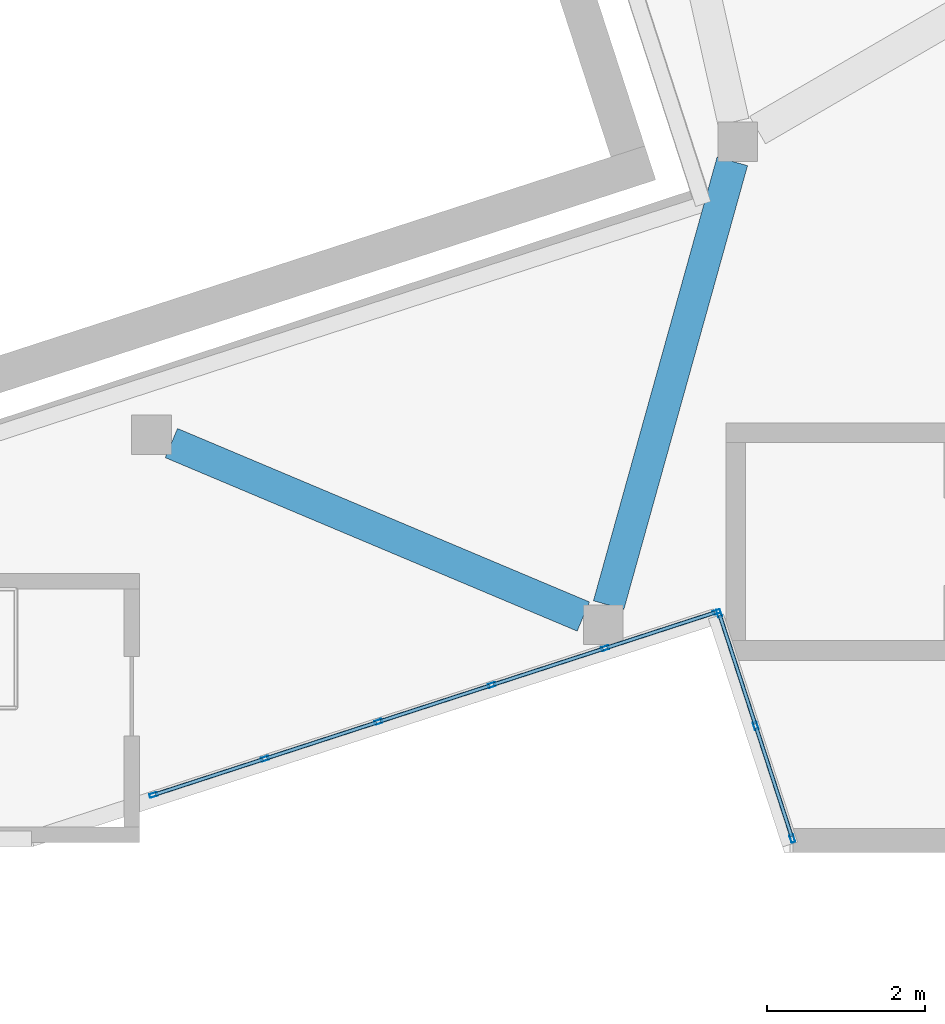
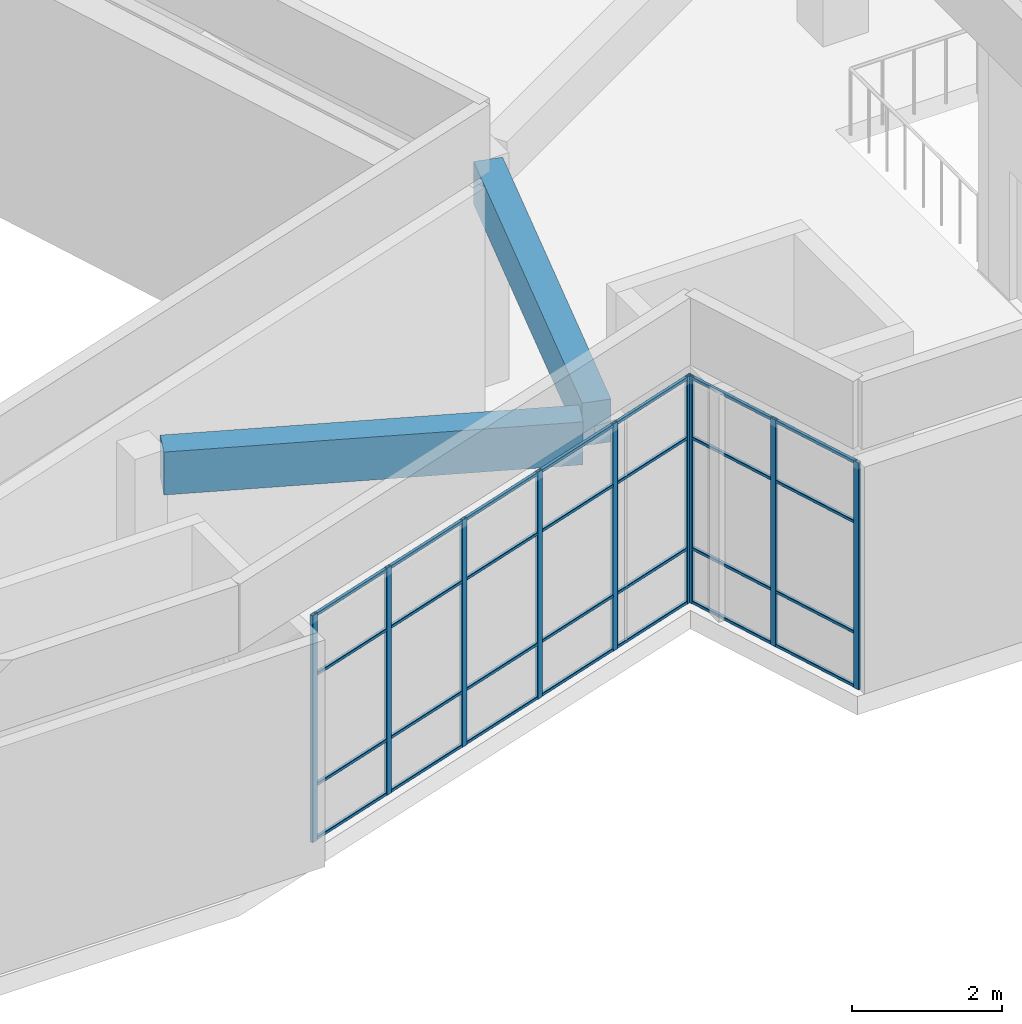
# One storey, part 6 of 72: 37 members, 2 beams, 2 elements without a shape of their own.
"""IFC4 building model written with IfcOpenShell, lengths in metres."""

from ifc_helpers import new_model, si_unit, direction, frame, origin, origin_2d, place, context, subcontext, project, spatial, rectangle, hollow_rectangle, extrude, material, layer, layer_set, material_profile, profile_set, type_object, element, aggregate, save


model = new_model("IFC4")

# Units and contexts
model_context = context("Model", 3, precision=1e-05, world=origin(), true_north=direction((0.0, 1.0)))
body_context = subcontext(model_context, "Body", "Model", "MODEL_VIEW")
ifc_project = project(units=[si_unit("LENGTHUNIT", "METRE"), si_unit("AREAUNIT", "SQUARE_METRE"), si_unit("VOLUMEUNIT", "CUBIC_METRE"), si_unit("PLANEANGLEUNIT", "RADIAN"), si_unit("MASSUNIT", "GRAM", prefix="KILO")], contexts=[model_context])

# Site, building, storey
site_placement = place(None, origin())
site = spatial("IfcSite", under=ifc_project, at=site_placement, CompositionType="ELEMENT")
building_placement = place(site_placement, origin())
building = spatial("IfcBuilding", under=site, at=building_placement, Name="Tuart Plaza Theatre", CompositionType="ELEMENT")
storey_placement = place(building_placement, frame((0.0, 0.0, 13.5)))
storey = spatial("IfcBuildingStorey", under=building, at=storey_placement, Name="L03", CompositionType="ELEMENT", Elevation=13.5)

# Beams
ifc_material_1 = material(Name="Concrete N40 (40 MPa)", Category="concrete")
ifc_material_profile_1 = material_profile(ifc_material_1, rectangle(XDim=0.39990234375, YDim=0.699951171875, at=origin_2d()), Name="BEAM 400x700 Concrete N40 (40 MPa)")
ifc_profile_set_1 = profile_set([ifc_material_profile_1], Name="Concrete N40 (40 MPa)")
beam_type = type_object("IfcBeamType", Name="BEAM 400x700 Concrete N40 (40 MPa)", PredefinedType="BEAM", material=ifc_profile_set_1)
beam_1_placement = place(storey_placement, frame((76.949951171875, 45.30517578125, 3.35009765625), z_axis=(-0.921635375138, 0.388057000058, 0.0), x_axis=(-0.388057000058, -0.921635375138, 0.0)))
element("IfcBeam", 1, at=beam_1_placement, inside=storey, type_object=beam_type, Name="RB492", PredefinedType="BEAM", context=body_context, shape_type="SweptSolid", body=[
    extrude(rectangle(XDim=0.39990234375, YDim=0.699951171875, at=origin_2d()), origin(), (0.0, 0.0, 1.0), 5.64208984375),
])
beam_2_placement = place(storey_placement, frame((77.269775390625, 45.449951171875, 3.35009765625), z_axis=(0.268436517251, 0.963297376829, 0.0), x_axis=(-0.963297376829, 0.268436517251, 0.0)))
element("IfcBeam", 2, at=beam_2_placement, inside=storey, type_object=beam_type, Name="RB493", PredefinedType="BEAM", context=body_context, shape_type="SweptSolid", body=[
    extrude(rectangle(XDim=0.39990234375, YDim=0.699951171875, at=origin_2d()), origin(), (0.0, 0.0, 1.0), 5.8134765625),
])

# Curtain wall, members
ifc_material_2 = material(Name="Aluminium and glass", Category="aluminium")
ifc_layer = layer(ifc_material_2, 0.10009765625)
ifc_layer_set = layer_set([ifc_layer], Name="CURTAIN WALL 1500 module")
curtain_wall_type = type_object("IfcCurtainWallType", Name="CURTAIN WALL 1500 module", PredefinedType="NOTDEFINED", material=ifc_layer_set)
curtain_wall_1_placement = place(storey_placement, origin())
curtain_wall_1 = element("IfcCurtainWall", 3, at=curtain_wall_1_placement, inside=storey, type_object=curtain_wall_type, Name="CW37", PredefinedType="NOTDEFINED")
ifc_material_3 = material(Name="Aluminium 6063-T5", Category="aluminium")
ifc_material_profile_2 = material_profile(ifc_material_3, hollow_rectangle(XDim=0.050048828125, YDim=0.10009765625, WallThickness=0.00390625, InnerFilletRadius=0.00390625, OuterFilletRadius=0.008056640625, at=origin_2d()), Name="RHS 100x50x4")
ifc_profile_set_2 = profile_set([ifc_material_profile_2], Name="Aluminium 6063-T5")
member_type_1 = type_object("IfcMemberType", Name="MULLION RHS 100x50x4", PredefinedType="MULLION", material=ifc_profile_set_2)
member_1_placement = place(storey_placement, frame((71.523681640625, 43.052734375, 0.0), z_axis=(0.0, 0.0, 1.0), x_axis=(-0.308985579126, 0.951066723155, 0.0)))
member_1 = element("IfcMember", 4, at=member_1_placement, type_object=member_type_1, Name="CW37 mullion 1", PredefinedType="MULLION", context=body_context, shape_type="SweptSolid", body=[
    extrude(hollow_rectangle(XDim=0.050048828125, YDim=0.10009765625, WallThickness=0.00390625, InnerFilletRadius=0.00390625, OuterFilletRadius=0.008056640625, at=origin_2d()), origin(), (0.0, 0.0, 1.0), 3.699951171875),
])
member_2_placement = place(storey_placement, frame((72.93115234375, 43.510009765625, 0.0), z_axis=(0.0, 0.0, 1.0), x_axis=(-0.308985579126, 0.951066723155, 0.0)))
member_2 = element("IfcMember", 5, at=member_2_placement, type_object=member_type_1, Name="CW37 mullion 2", PredefinedType="MULLION", context=body_context, shape_type="SweptSolid", body=[
    extrude(hollow_rectangle(XDim=0.050048828125, YDim=0.10009765625, WallThickness=0.00390625, InnerFilletRadius=0.00390625, OuterFilletRadius=0.008056640625, at=origin_2d()), origin(), (0.0, 0.0, 1.0), 3.699951171875),
])
member_3_placement = place(storey_placement, frame((74.362548828125, 43.97509765625, 0.0), z_axis=(0.0, 0.0, 1.0), x_axis=(-0.308985579126, 0.951066723155, 0.0)))
member_3 = element("IfcMember", 6, at=member_3_placement, type_object=member_type_1, Name="CW37 mullion 3", PredefinedType="MULLION", context=body_context, shape_type="SweptSolid", body=[
    extrude(hollow_rectangle(XDim=0.050048828125, YDim=0.10009765625, WallThickness=0.00390625, InnerFilletRadius=0.00390625, OuterFilletRadius=0.008056640625, at=origin_2d()), origin(), (0.0, 0.0, 1.0), 3.699951171875),
])
member_4_placement = place(storey_placement, frame((75.793701171875, 44.43994140625, 0.0), z_axis=(0.0, 0.0, 1.0), x_axis=(-0.308985579126, 0.951066723155, 0.0)))
member_4 = element("IfcMember", 7, at=member_4_placement, type_object=member_type_1, Name="CW37 mullion 4", PredefinedType="MULLION", context=body_context, shape_type="SweptSolid", body=[
    extrude(hollow_rectangle(XDim=0.050048828125, YDim=0.10009765625, WallThickness=0.00390625, InnerFilletRadius=0.00390625, OuterFilletRadius=0.008056640625, at=origin_2d()), origin(), (0.0, 0.0, 1.0), 3.699951171875),
])
member_5_placement = place(storey_placement, frame((77.22509765625, 44.905029296875, 0.0), z_axis=(0.0, 0.0, 1.0), x_axis=(-0.308985579126, 0.951066723155, 0.0)))
member_5 = element("IfcMember", 8, at=member_5_placement, type_object=member_type_1, Name="CW37 mullion 5", PredefinedType="MULLION", context=body_context, shape_type="SweptSolid", body=[
    extrude(hollow_rectangle(XDim=0.050048828125, YDim=0.10009765625, WallThickness=0.00390625, InnerFilletRadius=0.00390625, OuterFilletRadius=0.008056640625, at=origin_2d()), origin(), (0.0, 0.0, 1.0), 3.699951171875),
])
member_6_placement = place(storey_placement, frame((78.632568359375, 45.3623046875, 0.0), z_axis=(0.0, 0.0, 1.0), x_axis=(-0.308985579126, 0.951066723155, 0.0)))
member_6 = element("IfcMember", 9, at=member_6_placement, type_object=member_type_1, Name="CW37 mullion 6", PredefinedType="MULLION", context=body_context, shape_type="SweptSolid", body=[
    extrude(hollow_rectangle(XDim=0.050048828125, YDim=0.10009765625, WallThickness=0.00390625, InnerFilletRadius=0.00390625, OuterFilletRadius=0.008056640625, at=origin_2d()), origin(), (0.0, 0.0, 1.0), 3.699951171875),
])

curtain_wall_2_placement = place(storey_placement, origin())
curtain_wall_2 = element("IfcCurtainWall", 10, at=curtain_wall_2_placement, inside=storey, type_object=curtain_wall_type, Name="CW38", PredefinedType="NOTDEFINED")
member_7_placement = place(storey_placement, frame((78.6640625, 45.34619140625, 0.0), z_axis=(0.0, 0.0, 1.0), x_axis=(0.951056113998, 0.309018232516, 0.0)))
member_7 = element("IfcMember", 11, at=member_7_placement, type_object=member_type_1, Name="CW38 mullion 1", PredefinedType="MULLION", context=body_context, shape_type="SweptSolid", body=[
    extrude(hollow_rectangle(XDim=0.050048828125, YDim=0.10009765625, WallThickness=0.00390625, InnerFilletRadius=0.00390625, OuterFilletRadius=0.008056640625, at=origin_2d()), origin(), (0.0, 0.0, 1.0), 3.699951171875),
])
member_8_placement = place(storey_placement, frame((79.126220703125, 43.924072265625, 0.0), z_axis=(0.0, 0.0, 1.0), x_axis=(0.951056113998, 0.309018232516, 0.0)))
member_8 = element("IfcMember", 12, at=member_8_placement, type_object=member_type_1, Name="CW38 mullion 2", PredefinedType="MULLION", context=body_context, shape_type="SweptSolid", body=[
    extrude(hollow_rectangle(XDim=0.050048828125, YDim=0.10009765625, WallThickness=0.00390625, InnerFilletRadius=0.00390625, OuterFilletRadius=0.008056640625, at=origin_2d()), origin(), (0.0, 0.0, 1.0), 3.699951171875),
])
member_9_placement = place(storey_placement, frame((79.588134765625, 42.501708984375, 0.0), z_axis=(0.0, 0.0, 1.0), x_axis=(0.951056113998, 0.309018232516, 0.0)))
member_9 = element("IfcMember", 13, at=member_9_placement, type_object=member_type_1, Name="CW38 mullion 3", PredefinedType="MULLION", context=body_context, shape_type="SweptSolid", body=[
    extrude(hollow_rectangle(XDim=0.050048828125, YDim=0.10009765625, WallThickness=0.00390625, InnerFilletRadius=0.00390625, OuterFilletRadius=0.008056640625, at=origin_2d()), origin(), (0.0, 0.0, 1.0), 3.699951171875),
])

# Member
ifc_material_4 = material(Name="Aluminium 6063-T5", Category="aluminium")
ifc_material_profile_3 = material_profile(ifc_material_4, hollow_rectangle(XDim=0.050048828125, YDim=0.050048828125, WallThickness=0.00390625, InnerFilletRadius=0.00390625, OuterFilletRadius=0.008056640625, at=origin_2d()), Name="RHS 50x50x4")
ifc_profile_set_3 = profile_set([ifc_material_profile_3], Name="Aluminium 6063-T5")
member_type_2 = type_object("IfcMemberType", Name="TRANSOM RHS 50x50x4", PredefinedType="USERDEFINED", material=ifc_profile_set_3)
member_10_placement = place(storey_placement, frame((71.547607421875, 43.060546875, 0.02490234375), z_axis=(0.951096790658, 0.308893015135, 0.0), x_axis=(-0.308893015135, 0.951096790658, 0.0)))
member_10 = element("IfcMember", 14, at=member_10_placement, type_object=member_type_2, Name="CW37 transom 1.1", ObjectType="TRANSOM", PredefinedType="USERDEFINED", context=body_context, shape_type="SweptSolid", body=[
    extrude(hollow_rectangle(XDim=0.050048828125, YDim=0.050048828125, WallThickness=0.00390625, InnerFilletRadius=0.00390625, OuterFilletRadius=0.008056640625, at=origin_2d()), origin(), (0.0, 0.0, 1.0), 1.4296875),
])

member_11_placement = place(storey_placement, frame((71.547607421875, 43.060546875, 0.89990234375), z_axis=(0.951096790658, 0.308893015135, 0.0), x_axis=(-0.308893015135, 0.951096790658, 0.0)))
member_11 = element("IfcMember", 15, at=member_11_placement, type_object=member_type_2, Name="CW37 transom 1.2", ObjectType="TRANSOM", PredefinedType="USERDEFINED", context=body_context, shape_type="SweptSolid", body=[
    extrude(hollow_rectangle(XDim=0.050048828125, YDim=0.050048828125, WallThickness=0.00390625, InnerFilletRadius=0.00390625, OuterFilletRadius=0.008056640625, at=origin_2d()), origin(), (0.0, 0.0, 1.0), 1.4296875),
])

member_12_placement = place(storey_placement, frame((71.547607421875, 43.060546875, 2.699951171875), z_axis=(0.951096790658, 0.308893015135, 0.0), x_axis=(-0.308893015135, 0.951096790658, 0.0)))
member_12 = element("IfcMember", 16, at=member_12_placement, type_object=member_type_2, Name="CW37 transom 1.3", ObjectType="TRANSOM", PredefinedType="USERDEFINED", context=body_context, shape_type="SweptSolid", body=[
    extrude(hollow_rectangle(XDim=0.050048828125, YDim=0.050048828125, WallThickness=0.00390625, InnerFilletRadius=0.00390625, OuterFilletRadius=0.008056640625, at=origin_2d()), origin(), (0.0, 0.0, 1.0), 1.4296875),
])

member_13_placement = place(storey_placement, frame((71.547607421875, 43.060546875, 3.675048828125), z_axis=(0.951096790658, 0.308893015135, 0.0), x_axis=(-0.308893015135, 0.951096790658, 0.0)))
member_13 = element("IfcMember", 17, at=member_13_placement, type_object=member_type_2, Name="CW37 transom 1.4", ObjectType="TRANSOM", PredefinedType="USERDEFINED", context=body_context, shape_type="SweptSolid", body=[
    extrude(hollow_rectangle(XDim=0.050048828125, YDim=0.050048828125, WallThickness=0.00390625, InnerFilletRadius=0.00390625, OuterFilletRadius=0.008056640625, at=origin_2d()), origin(), (0.0, 0.0, 1.0), 1.4296875),
])

member_14_placement = place(storey_placement, frame((72.955078125, 43.517822265625, 0.02490234375), z_axis=(0.951088311505, 0.308919121645, 0.0), x_axis=(-0.308919121645, 0.951088311505, 0.0)))
member_14 = element("IfcMember", 18, at=member_14_placement, type_object=member_type_2, Name="CW37 transom 2.1", ObjectType="TRANSOM", PredefinedType="USERDEFINED", context=body_context, shape_type="SweptSolid", body=[
    extrude(hollow_rectangle(XDim=0.050048828125, YDim=0.050048828125, WallThickness=0.00390625, InnerFilletRadius=0.00390625, OuterFilletRadius=0.008056640625, at=origin_2d()), origin(), (0.0, 0.0, 1.0), 1.454833984375),
])

member_15_placement = place(storey_placement, frame((72.955078125, 43.517822265625, 0.89990234375), z_axis=(0.951088311505, 0.308919121645, 0.0), x_axis=(-0.308919121645, 0.951088311505, 0.0)))
member_15 = element("IfcMember", 19, at=member_15_placement, type_object=member_type_2, Name="CW37 transom 2.2", ObjectType="TRANSOM", PredefinedType="USERDEFINED", context=body_context, shape_type="SweptSolid", body=[
    extrude(hollow_rectangle(XDim=0.050048828125, YDim=0.050048828125, WallThickness=0.00390625, InnerFilletRadius=0.00390625, OuterFilletRadius=0.008056640625, at=origin_2d()), origin(), (0.0, 0.0, 1.0), 1.454833984375),
])

member_16_placement = place(storey_placement, frame((72.955078125, 43.517822265625, 2.699951171875), z_axis=(0.951088311505, 0.308919121645, 0.0), x_axis=(-0.308919121645, 0.951088311505, 0.0)))
member_16 = element("IfcMember", 20, at=member_16_placement, type_object=member_type_2, Name="CW37 transom 2.3", ObjectType="TRANSOM", PredefinedType="USERDEFINED", context=body_context, shape_type="SweptSolid", body=[
    extrude(hollow_rectangle(XDim=0.050048828125, YDim=0.050048828125, WallThickness=0.00390625, InnerFilletRadius=0.00390625, OuterFilletRadius=0.008056640625, at=origin_2d()), origin(), (0.0, 0.0, 1.0), 1.454833984375),
])

member_17_placement = place(storey_placement, frame((72.955078125, 43.517822265625, 3.675048828125), z_axis=(0.951088311505, 0.308919121645, 0.0), x_axis=(-0.308919121645, 0.951088311505, 0.0)))
member_17 = element("IfcMember", 21, at=member_17_placement, type_object=member_type_2, Name="CW37 transom 2.4", ObjectType="TRANSOM", PredefinedType="USERDEFINED", context=body_context, shape_type="SweptSolid", body=[
    extrude(hollow_rectangle(XDim=0.050048828125, YDim=0.050048828125, WallThickness=0.00390625, InnerFilletRadius=0.00390625, OuterFilletRadius=0.008056640625, at=origin_2d()), origin(), (0.0, 0.0, 1.0), 1.454833984375),
])

member_18_placement = place(storey_placement, frame((74.38623046875, 43.982666015625, 0.02490234375), z_axis=(0.951039000848, 0.309070896182, 0.0), x_axis=(-0.309070896182, 0.951039000848, 0.0)))
member_18 = element("IfcMember", 22, at=member_18_placement, type_object=member_type_2, Name="CW37 transom 3.1", ObjectType="TRANSOM", PredefinedType="USERDEFINED", context=body_context, shape_type="SweptSolid", body=[
    extrude(hollow_rectangle(XDim=0.050048828125, YDim=0.050048828125, WallThickness=0.00390625, InnerFilletRadius=0.00390625, OuterFilletRadius=0.008056640625, at=origin_2d()), origin(), (0.0, 0.0, 1.0), 1.455078125),
])

member_19_placement = place(storey_placement, frame((74.38623046875, 43.982666015625, 0.89990234375), z_axis=(0.951039000848, 0.309070896182, 0.0), x_axis=(-0.309070896182, 0.951039000848, 0.0)))
member_19 = element("IfcMember", 23, at=member_19_placement, type_object=member_type_2, Name="CW37 transom 3.2", ObjectType="TRANSOM", PredefinedType="USERDEFINED", context=body_context, shape_type="SweptSolid", body=[
    extrude(hollow_rectangle(XDim=0.050048828125, YDim=0.050048828125, WallThickness=0.00390625, InnerFilletRadius=0.00390625, OuterFilletRadius=0.008056640625, at=origin_2d()), origin(), (0.0, 0.0, 1.0), 1.455078125),
])

member_20_placement = place(storey_placement, frame((74.38623046875, 43.982666015625, 2.699951171875), z_axis=(0.951039000848, 0.309070896182, 0.0), x_axis=(-0.309070896182, 0.951039000848, 0.0)))
member_20 = element("IfcMember", 24, at=member_20_placement, type_object=member_type_2, Name="CW37 transom 3.3", ObjectType="TRANSOM", PredefinedType="USERDEFINED", context=body_context, shape_type="SweptSolid", body=[
    extrude(hollow_rectangle(XDim=0.050048828125, YDim=0.050048828125, WallThickness=0.00390625, InnerFilletRadius=0.00390625, OuterFilletRadius=0.008056640625, at=origin_2d()), origin(), (0.0, 0.0, 1.0), 1.455078125),
])

member_21_placement = place(storey_placement, frame((74.38623046875, 43.982666015625, 3.675048828125), z_axis=(0.951039000848, 0.309070896182, 0.0), x_axis=(-0.309070896182, 0.951039000848, 0.0)))
member_21 = element("IfcMember", 25, at=member_21_placement, type_object=member_type_2, Name="CW37 transom 3.4", ObjectType="TRANSOM", PredefinedType="USERDEFINED", context=body_context, shape_type="SweptSolid", body=[
    extrude(hollow_rectangle(XDim=0.050048828125, YDim=0.050048828125, WallThickness=0.00390625, InnerFilletRadius=0.00390625, OuterFilletRadius=0.008056640625, at=origin_2d()), origin(), (0.0, 0.0, 1.0), 1.455078125),
])

member_22_placement = place(storey_placement, frame((75.817626953125, 44.44775390625, 0.02490234375), z_axis=(0.951072294381, 0.308968430202, 0.0), x_axis=(-0.308968430202, 0.951072294381, 0.0)))
member_22 = element("IfcMember", 26, at=member_22_placement, type_object=member_type_2, Name="CW37 transom 4.1", ObjectType="TRANSOM", PredefinedType="USERDEFINED", context=body_context, shape_type="SweptSolid", body=[
    extrude(hollow_rectangle(XDim=0.050048828125, YDim=0.050048828125, WallThickness=0.00390625, InnerFilletRadius=0.00390625, OuterFilletRadius=0.008056640625, at=origin_2d()), origin(), (0.0, 0.0, 1.0), 1.454833984375),
])

member_23_placement = place(storey_placement, frame((75.817626953125, 44.44775390625, 0.89990234375), z_axis=(0.951072294381, 0.308968430202, 0.0), x_axis=(-0.308968430202, 0.951072294381, 0.0)))
member_23 = element("IfcMember", 27, at=member_23_placement, type_object=member_type_2, Name="CW37 transom 4.2", ObjectType="TRANSOM", PredefinedType="USERDEFINED", context=body_context, shape_type="SweptSolid", body=[
    extrude(hollow_rectangle(XDim=0.050048828125, YDim=0.050048828125, WallThickness=0.00390625, InnerFilletRadius=0.00390625, OuterFilletRadius=0.008056640625, at=origin_2d()), origin(), (0.0, 0.0, 1.0), 1.454833984375),
])

member_24_placement = place(storey_placement, frame((75.817626953125, 44.44775390625, 2.699951171875), z_axis=(0.951072294381, 0.308968430202, 0.0), x_axis=(-0.308968430202, 0.951072294381, 0.0)))
member_24 = element("IfcMember", 28, at=member_24_placement, type_object=member_type_2, Name="CW37 transom 4.3", ObjectType="TRANSOM", PredefinedType="USERDEFINED", context=body_context, shape_type="SweptSolid", body=[
    extrude(hollow_rectangle(XDim=0.050048828125, YDim=0.050048828125, WallThickness=0.00390625, InnerFilletRadius=0.00390625, OuterFilletRadius=0.008056640625, at=origin_2d()), origin(), (0.0, 0.0, 1.0), 1.454833984375),
])

member_25_placement = place(storey_placement, frame((75.817626953125, 44.44775390625, 3.675048828125), z_axis=(0.951072294381, 0.308968430202, 0.0), x_axis=(-0.308968430202, 0.951072294381, 0.0)))
member_25 = element("IfcMember", 29, at=member_25_placement, type_object=member_type_2, Name="CW37 transom 4.4", ObjectType="TRANSOM", PredefinedType="USERDEFINED", context=body_context, shape_type="SweptSolid", body=[
    extrude(hollow_rectangle(XDim=0.050048828125, YDim=0.050048828125, WallThickness=0.00390625, InnerFilletRadius=0.00390625, OuterFilletRadius=0.008056640625, at=origin_2d()), origin(), (0.0, 0.0, 1.0), 1.454833984375),
])

member_26_placement = place(storey_placement, frame((77.248779296875, 44.912841796875, 0.02490234375), z_axis=(0.951096790658, 0.308893015135, 0.0), x_axis=(-0.308893015135, 0.951096790658, 0.0)))
member_26 = element("IfcMember", 30, at=member_26_placement, type_object=member_type_2, Name="CW37 transom 5.1", ObjectType="TRANSOM", PredefinedType="USERDEFINED", context=body_context, shape_type="SweptSolid", body=[
    extrude(hollow_rectangle(XDim=0.050048828125, YDim=0.050048828125, WallThickness=0.00390625, InnerFilletRadius=0.00390625, OuterFilletRadius=0.008056640625, at=origin_2d()), origin(), (0.0, 0.0, 1.0), 1.4296875),
])

member_27_placement = place(storey_placement, frame((77.248779296875, 44.912841796875, 0.89990234375), z_axis=(0.951096790658, 0.308893015135, 0.0), x_axis=(-0.308893015135, 0.951096790658, 0.0)))
member_27 = element("IfcMember", 31, at=member_27_placement, type_object=member_type_2, Name="CW37 transom 5.2", ObjectType="TRANSOM", PredefinedType="USERDEFINED", context=body_context, shape_type="SweptSolid", body=[
    extrude(hollow_rectangle(XDim=0.050048828125, YDim=0.050048828125, WallThickness=0.00390625, InnerFilletRadius=0.00390625, OuterFilletRadius=0.008056640625, at=origin_2d()), origin(), (0.0, 0.0, 1.0), 1.4296875),
])

member_28_placement = place(storey_placement, frame((77.248779296875, 44.912841796875, 2.699951171875), z_axis=(0.951096790658, 0.308893015135, 0.0), x_axis=(-0.308893015135, 0.951096790658, 0.0)))
member_28 = element("IfcMember", 32, at=member_28_placement, type_object=member_type_2, Name="CW37 transom 5.3", ObjectType="TRANSOM", PredefinedType="USERDEFINED", context=body_context, shape_type="SweptSolid", body=[
    extrude(hollow_rectangle(XDim=0.050048828125, YDim=0.050048828125, WallThickness=0.00390625, InnerFilletRadius=0.00390625, OuterFilletRadius=0.008056640625, at=origin_2d()), origin(), (0.0, 0.0, 1.0), 1.4296875),
])

member_29_placement = place(storey_placement, frame((77.248779296875, 44.912841796875, 3.675048828125), z_axis=(0.951096790658, 0.308893015135, 0.0), x_axis=(-0.308893015135, 0.951096790658, 0.0)))
member_29 = element("IfcMember", 33, at=member_29_placement, type_object=member_type_2, Name="CW37 transom 5.4", ObjectType="TRANSOM", PredefinedType="USERDEFINED", context=body_context, shape_type="SweptSolid", body=[
    extrude(hollow_rectangle(XDim=0.050048828125, YDim=0.050048828125, WallThickness=0.00390625, InnerFilletRadius=0.00390625, OuterFilletRadius=0.008056640625, at=origin_2d()), origin(), (0.0, 0.0, 1.0), 1.4296875),
])

aggregate(curtain_wall_1, [member_1, member_2, member_3, member_4, member_5, member_6, member_10, member_11, member_12, member_13, member_14, member_15, member_16, member_17, member_18, member_19, member_20, member_21, member_22, member_23, member_24, member_25, member_26, member_27, member_28, member_29])

member_30_placement = place(storey_placement, frame((78.671875, 45.322509765625, 0.02490234375), z_axis=(0.308921844145, -0.951087427217, 0.0), x_axis=(0.951087427217, 0.308921844145, 0.0)))
member_30 = element("IfcMember", 34, at=member_30_placement, type_object=member_type_2, Name="CW38 transom 1.1", ObjectType="TRANSOM", PredefinedType="USERDEFINED", context=body_context, shape_type="SweptSolid", body=[
    extrude(hollow_rectangle(XDim=0.050048828125, YDim=0.050048828125, WallThickness=0.00390625, InnerFilletRadius=0.00390625, OuterFilletRadius=0.008056640625, at=origin_2d()), origin(), (0.0, 0.0, 1.0), 1.445556640625),
])

member_31_placement = place(storey_placement, frame((78.671875, 45.322509765625, 0.89990234375), z_axis=(0.308921844145, -0.951087427217, 0.0), x_axis=(0.951087427217, 0.308921844145, 0.0)))
member_31 = element("IfcMember", 35, at=member_31_placement, type_object=member_type_2, Name="CW38 transom 1.2", ObjectType="TRANSOM", PredefinedType="USERDEFINED", context=body_context, shape_type="SweptSolid", body=[
    extrude(hollow_rectangle(XDim=0.050048828125, YDim=0.050048828125, WallThickness=0.00390625, InnerFilletRadius=0.00390625, OuterFilletRadius=0.008056640625, at=origin_2d()), origin(), (0.0, 0.0, 1.0), 1.445556640625),
])

member_32_placement = place(storey_placement, frame((78.671875, 45.322509765625, 2.699951171875), z_axis=(0.308921844145, -0.951087427217, 0.0), x_axis=(0.951087427217, 0.308921844145, 0.0)))
member_32 = element("IfcMember", 36, at=member_32_placement, type_object=member_type_2, Name="CW38 transom 1.3", ObjectType="TRANSOM", PredefinedType="USERDEFINED", context=body_context, shape_type="SweptSolid", body=[
    extrude(hollow_rectangle(XDim=0.050048828125, YDim=0.050048828125, WallThickness=0.00390625, InnerFilletRadius=0.00390625, OuterFilletRadius=0.008056640625, at=origin_2d()), origin(), (0.0, 0.0, 1.0), 1.445556640625),
])

member_33_placement = place(storey_placement, frame((78.671875, 45.322509765625, 3.675048828125), z_axis=(0.308921844145, -0.951087427217, 0.0), x_axis=(0.951087427217, 0.308921844145, 0.0)))
member_33 = element("IfcMember", 37, at=member_33_placement, type_object=member_type_2, Name="CW38 transom 1.4", ObjectType="TRANSOM", PredefinedType="USERDEFINED", context=body_context, shape_type="SweptSolid", body=[
    extrude(hollow_rectangle(XDim=0.050048828125, YDim=0.050048828125, WallThickness=0.00390625, InnerFilletRadius=0.00390625, OuterFilletRadius=0.008056640625, at=origin_2d()), origin(), (0.0, 0.0, 1.0), 1.445556640625),
])

member_34_placement = place(storey_placement, frame((79.1337890625, 43.900146484375, 0.02490234375), z_axis=(0.309124267762, -0.95102165437, 0.0), x_axis=(0.95102165437, 0.309124267762, 0.0)))
member_34 = element("IfcMember", 38, at=member_34_placement, type_object=member_type_2, Name="CW38 transom 2.1", ObjectType="TRANSOM", PredefinedType="USERDEFINED", context=body_context, shape_type="SweptSolid", body=[
    extrude(hollow_rectangle(XDim=0.050048828125, YDim=0.050048828125, WallThickness=0.00390625, InnerFilletRadius=0.00390625, OuterFilletRadius=0.008056640625, at=origin_2d()), origin(), (0.0, 0.0, 1.0), 1.4453125),
])

member_35_placement = place(storey_placement, frame((79.1337890625, 43.900146484375, 0.89990234375), z_axis=(0.309124267762, -0.95102165437, 0.0), x_axis=(0.95102165437, 0.309124267762, 0.0)))
member_35 = element("IfcMember", 39, at=member_35_placement, type_object=member_type_2, Name="CW38 transom 2.2", ObjectType="TRANSOM", PredefinedType="USERDEFINED", context=body_context, shape_type="SweptSolid", body=[
    extrude(hollow_rectangle(XDim=0.050048828125, YDim=0.050048828125, WallThickness=0.00390625, InnerFilletRadius=0.00390625, OuterFilletRadius=0.008056640625, at=origin_2d()), origin(), (0.0, 0.0, 1.0), 1.4453125),
])

member_36_placement = place(storey_placement, frame((79.1337890625, 43.900146484375, 2.699951171875), z_axis=(0.309124267762, -0.95102165437, 0.0), x_axis=(0.95102165437, 0.309124267762, 0.0)))
member_36 = element("IfcMember", 40, at=member_36_placement, type_object=member_type_2, Name="CW38 transom 2.3", ObjectType="TRANSOM", PredefinedType="USERDEFINED", context=body_context, shape_type="SweptSolid", body=[
    extrude(hollow_rectangle(XDim=0.050048828125, YDim=0.050048828125, WallThickness=0.00390625, InnerFilletRadius=0.00390625, OuterFilletRadius=0.008056640625, at=origin_2d()), origin(), (0.0, 0.0, 1.0), 1.4453125),
])

member_37_placement = place(storey_placement, frame((79.1337890625, 43.900146484375, 3.675048828125), z_axis=(0.309124267762, -0.95102165437, 0.0), x_axis=(0.95102165437, 0.309124267762, 0.0)))
member_37 = element("IfcMember", 41, at=member_37_placement, type_object=member_type_2, Name="CW38 transom 2.4", ObjectType="TRANSOM", PredefinedType="USERDEFINED", context=body_context, shape_type="SweptSolid", body=[
    extrude(hollow_rectangle(XDim=0.050048828125, YDim=0.050048828125, WallThickness=0.00390625, InnerFilletRadius=0.00390625, OuterFilletRadius=0.008056640625, at=origin_2d()), origin(), (0.0, 0.0, 1.0), 1.4453125),
])

aggregate(curtain_wall_2, [member_7, member_8, member_9, member_30, member_31, member_32, member_33, member_34, member_35, member_36, member_37])

save(model, "model.ifc")
